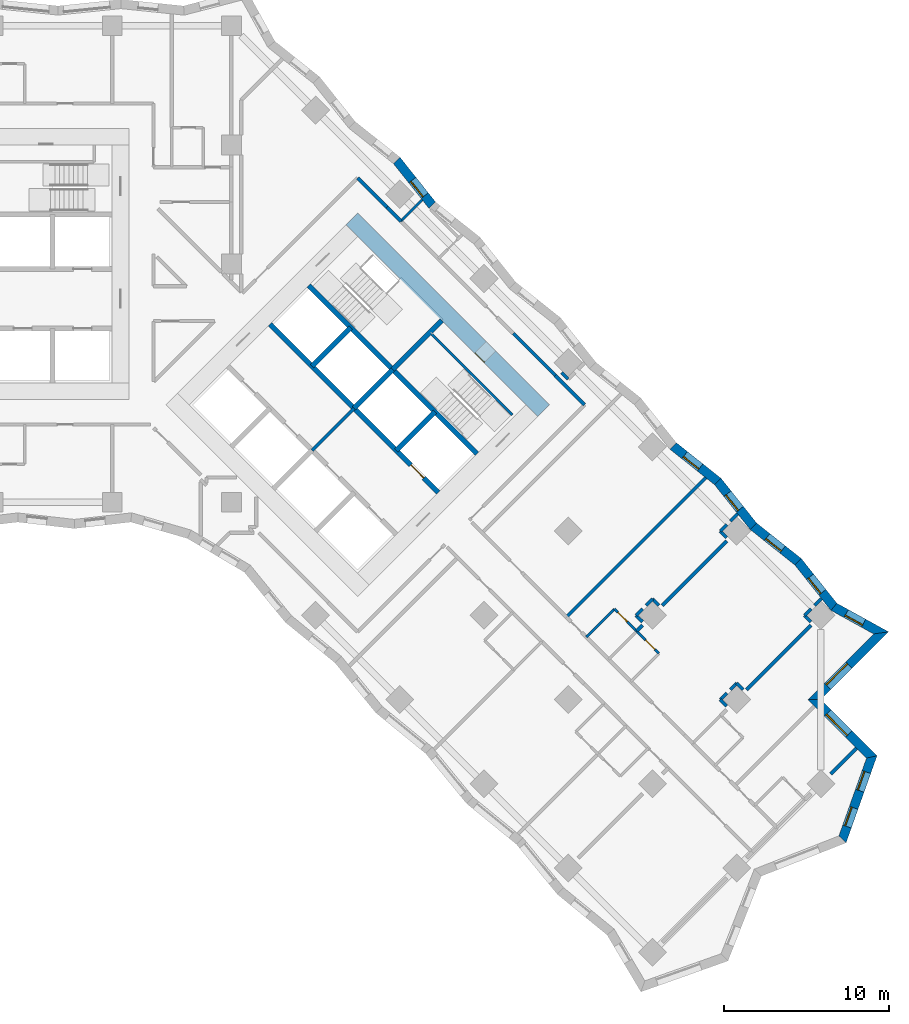
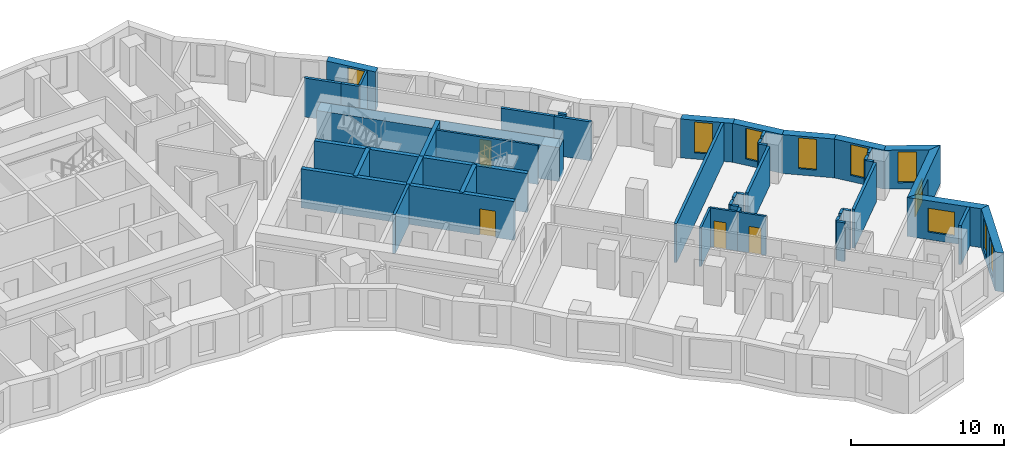
# One storey, part 9 of 12: 47 walls, 10 windows, 4 doors, 14 openings.
"""IFC4 building model written with IfcOpenShell, lengths in metres."""

from ifc_helpers import new_model, si_unit, direction, frame, frame_2d, origin, place, context, subcontext, project, spatial, polyline, rectangle, outline, extrude, material, layer, layer_set, type_object, element, fill, save


model = new_model("IFC4")

# Units and contexts
model_context = context("Model", 3, precision=1e-05, world=origin(), true_north=direction((0.0, 1.0)))
body_context = subcontext(model_context, "Body", "Model", "MODEL_VIEW")
ifc_project = project(units=[si_unit("LENGTHUNIT", "METRE"), si_unit("AREAUNIT", "SQUARE_METRE"), si_unit("VOLUMEUNIT", "CUBIC_METRE"), si_unit("PLANEANGLEUNIT", "RADIAN"), si_unit("MASSUNIT", "GRAM", prefix="KILO")], contexts=[model_context])

# Site, building, storey
site_placement = place(None, origin())
site = spatial("IfcSite", under=ifc_project, at=site_placement, CompositionType="ELEMENT")
building_placement = place(site_placement, origin())
building = spatial("IfcBuilding", under=site, at=building_placement, Name="Windrow Commons", CompositionType="ELEMENT")
storey_placement = place(building_placement, frame((0.0, 0.0, 37.2)))
storey = spatial("IfcBuildingStorey", under=building, at=storey_placement, Name="L09", CompositionType="ELEMENT", Elevation=37.2)

# Wall, openings, windows
ifc_material_1 = material(Name="Brick masonry, red clay brick", Category="masonry")
ifc_layer_1 = layer(ifc_material_1, 0.55)
ifc_layer_set_1 = layer_set([ifc_layer_1], Name="Brick facade wall 550")
wall_type_1 = type_object("IfcWallType", Name="Brick facade wall 550", PredefinedType="SOLIDWALL", material=ifc_layer_set_1)
wall_1_placement = place(storey_placement, frame((116.1429, 22.8203, 0.0), z_axis=(0.0, 0.0, 1.0), x_axis=(0.334975732, 0.9422267556, 0.0)))
wall_1 = element("IfcWall", 1, at=wall_1_placement, inside=storey, type_object=wall_type_1, Name="Brick facade wall L09 4", PredefinedType="SOLIDWALL", context=body_context, shape_type="SweptSolid", body=[
    extrude(outline(polyline([(-0.1253, -0.275), (5.464, -0.275), (5.1165, 0.275), (0.1253, 0.275), (-0.1253, -0.275)])), origin(), (0.0, 0.0, 1.0), 3.1),
])
opening_1_placement = place(wall_1_placement, frame((0.8254, 0.0, 0.5)))
opening_1 = element("IfcOpeningElement", 2, at=opening_1_placement, cuts=wall_1, Name="Opening W7D", PredefinedType="OPENING", context=body_context, shape_type="SweptSolid", body=[
    extrude(rectangle(XDim=1.2, YDim=2.45, at=frame_2d((0.6, 1.225))), frame((0.0, 0.285, 0.0), z_axis=(0.0, -1.0, 0.0), x_axis=(1.0, 0.0, 0.0)), (0.0, 0.0, 1.0), 0.57),
])
opening_2_placement = place(wall_1_placement, frame((3.1211, 0.0, 0.5)))
opening_2 = element("IfcOpeningElement", 3, at=opening_2_placement, cuts=wall_1, Name="Opening W7D", PredefinedType="OPENING", context=body_context, shape_type="SweptSolid", body=[
    extrude(rectangle(XDim=1.2, YDim=2.45, at=frame_2d((0.6, 1.225))), frame((0.0, 0.285, 0.0), z_axis=(0.0, -1.0, 0.0), x_axis=(1.0, 0.0, 0.0)), (0.0, 0.0, 1.0), 0.57),
])
ifc_material_2 = material(Name="Clear float glass in anodised aluminium frame", Category="aluminium")
window_type_1 = type_object("IfcWindowType", Name="Window W7 notch 1200x2450", PartitioningType="SINGLE_PANEL", PredefinedType="WINDOW", material=ifc_material_2)
window_1_placement = place(opening_1_placement, origin())
window_1 = element("IfcWindow", 4, at=window_1_placement, inside=storey, type_object=window_type_1, Name="Window L09 4.1", OverallHeight=2.45, OverallWidth=1.2, PartitioningType="SINGLE_PANEL", PredefinedType="WINDOW", context=body_context, shape_type="SweptSolid", body=[
    extrude(rectangle(XDim=1.2, YDim=2.45, at=frame_2d((0.6, 1.225))), frame((0.0, 0.155, 0.0), z_axis=(0.0, -1.0, 0.0), x_axis=(1.0, 0.0, 0.0)), (0.0, 0.0, 1.0), 0.06),
])
fill(opening_1, window_1)
window_2_placement = place(opening_2_placement, origin())
window_2 = element("IfcWindow", 5, at=window_2_placement, inside=storey, type_object=window_type_1, Name="Window L09 4.2", OverallHeight=2.45, OverallWidth=1.2, PartitioningType="SINGLE_PANEL", PredefinedType="WINDOW", context=body_context, shape_type="SweptSolid", body=[
    extrude(rectangle(XDim=1.2, YDim=2.45, at=frame_2d((0.6, 1.225))), frame((0.0, 0.155, 0.0), z_axis=(0.0, -1.0, 0.0), x_axis=(1.0, 0.0, 0.0)), (0.0, 0.0, 1.0), 0.06),
])
fill(opening_2, window_2)

# Wall, opening, window
wall_2_placement = place(storey_placement, frame((117.915, 27.8049, 0.0), z_axis=(0.0, 0.0, 1.0), x_axis=(-0.7071067812, 0.7071067812, 0.0)))
wall_2 = element("IfcWall", 6, at=wall_2_placement, inside=storey, type_object=wall_type_1, Name="Brick facade wall L09 5", PredefinedType="SOLIDWALL", context=body_context, shape_type="SweptSolid", body=[
    extrude(outline(polyline([(-0.1738, -0.275), (4.6262, -0.275), (5.1762, 0.275), (0.1738, 0.275), (-0.1738, -0.275)])), origin(), (0.0, 0.0, 1.0), 3.1),
])
opening_3_placement = place(wall_2_placement, frame((1.9638, 0.0, 0.6)))
opening_3 = element("IfcOpeningElement", 7, at=opening_3_placement, cuts=wall_2, Name="Opening W1L", PredefinedType="OPENING", context=body_context, shape_type="SweptSolid", body=[
    extrude(rectangle(XDim=1.8, YDim=1.9, at=frame_2d((0.9, 0.95))), frame((0.0, 0.285, 0.0), z_axis=(0.0, -1.0, 0.0), x_axis=(1.0, 0.0, 0.0)), (0.0, 0.0, 1.0), 0.57),
])
ifc_material_3 = material(Name="Clear float glass in anodised aluminium frame", Category="aluminium")
window_type_2 = type_object("IfcWindowType", Name="Window W1L bedroom 1800x1900", PartitioningType="SINGLE_PANEL", PredefinedType="WINDOW", material=ifc_material_3)
window_3_placement = place(opening_3_placement, origin())
window_3 = element("IfcWindow", 8, at=window_3_placement, inside=storey, type_object=window_type_2, Name="Window L09 5.1", OverallHeight=1.9, OverallWidth=1.8, PartitioningType="SINGLE_PANEL", PredefinedType="WINDOW", context=body_context, shape_type="SweptSolid", body=[
    extrude(rectangle(XDim=1.8, YDim=1.9, at=frame_2d((0.9, 0.95))), frame((0.0, 0.155, 0.0), z_axis=(0.0, -1.0, 0.0), x_axis=(1.0, 0.0, 0.0)), (0.0, 0.0, 1.0), 0.06),
])
fill(opening_3, window_3)

wall_3_placement = place(storey_placement, frame((114.4493, 31.2706, 0.0), z_axis=(0.0, 0.0, 1.0), x_axis=(0.7070892384, 0.7071243236, 0.0)))
wall_3 = element("IfcWall", 9, at=wall_3_placement, inside=storey, type_object=wall_type_1, Name="Brick facade wall L09 6", PredefinedType="SOLIDWALL", context=body_context, shape_type="SweptSolid", body=[
    extrude(outline(polyline([(0.275, -0.275), (6.066, -0.275), (5.3348, 0.275), (-0.275, 0.275), (0.275, -0.275)])), origin(), (0.0, 0.0, 1.0), 3.1),
])
opening_4_placement = place(wall_3_placement, frame((1.1375, 0.0, 0.6)))
opening_4 = element("IfcOpeningElement", 10, at=opening_4_placement, cuts=wall_3, Name="Opening W1L", PredefinedType="OPENING", context=body_context, shape_type="SweptSolid", body=[
    extrude(rectangle(XDim=1.8, YDim=1.9, at=frame_2d((0.9, 0.95))), frame((0.0, 0.285, 0.0), z_axis=(0.0, -1.0, 0.0), x_axis=(1.0, 0.0, 0.0)), (0.0, 0.0, 1.0), 0.57),
])
window_4_placement = place(opening_4_placement, origin())
window_4 = element("IfcWindow", 11, at=window_4_placement, inside=storey, type_object=window_type_2, Name="Window L09 6.1", OverallHeight=1.9, OverallWidth=1.8, PartitioningType="SINGLE_PANEL", PredefinedType="WINDOW", context=body_context, shape_type="SweptSolid", body=[
    extrude(rectangle(XDim=1.8, YDim=1.9, at=frame_2d((0.9, 0.95))), frame((0.0, 0.155, 0.0), z_axis=(0.0, -1.0, 0.0), x_axis=(1.0, 0.0, 0.0)), (0.0, 0.0, 1.0), 0.06),
])
fill(opening_4, window_4)

wall_4_placement = place(storey_placement, frame((118.48, 35.3015, 0.0), z_axis=(0.0, 0.0, 1.0), x_axis=(-0.8755307205, 0.4831624545, 0.0)))
wall_4 = element("IfcWall", 12, at=wall_4_placement, inside=storey, type_object=wall_type_1, Name="Brick facade wall L09 7", PredefinedType="SOLIDWALL", context=body_context, shape_type="SweptSolid", body=[
    extrude(outline(polyline([(-0.3656, -0.275), (3.2063, -0.275), (3.3162, 0.275), (0.3656, 0.275), (-0.3656, -0.275)])), origin(), (0.0, 0.0, 1.0), 3.1),
])
opening_5_placement = place(wall_4_placement, frame((1.2135, 0.0, 0.5)))
opening_5 = element("IfcOpeningElement", 13, at=opening_5_placement, cuts=wall_4, Name="Opening W7D", PredefinedType="OPENING", context=body_context, shape_type="SweptSolid", body=[
    extrude(rectangle(XDim=1.2, YDim=2.45, at=frame_2d((0.6, 1.225))), frame((0.0, 0.285, 0.0), z_axis=(0.0, -1.0, 0.0), x_axis=(1.0, 0.0, 0.0)), (0.0, 0.0, 1.0), 0.57),
])
window_5_placement = place(opening_5_placement, origin())
window_5 = element("IfcWindow", 14, at=window_5_placement, inside=storey, type_object=window_type_1, Name="Window L09 7.1", OverallHeight=2.45, OverallWidth=1.2, PartitioningType="SINGLE_PANEL", PredefinedType="WINDOW", context=body_context, shape_type="SweptSolid", body=[
    extrude(rectangle(XDim=1.2, YDim=2.45, at=frame_2d((0.6, 1.225))), frame((0.0, 0.155, 0.0), z_axis=(0.0, -1.0, 0.0), x_axis=(1.0, 0.0, 0.0)), (0.0, 0.0, 1.0), 0.06),
])
fill(opening_5, window_5)

wall_5_placement = place(storey_placement, frame((115.6247, 36.8772, 0.0), z_axis=(0.0, 0.0, 1.0), x_axis=(-0.6225043527, 0.782616337, 0.0)))
wall_5 = element("IfcWall", 15, at=wall_5_placement, inside=storey, type_object=wall_type_1, Name="Brick facade wall L09 8", PredefinedType="SOLIDWALL", context=body_context, shape_type="SweptSolid", body=[
    extrude(outline(polyline([(0.055, -0.275), (3.5089, -0.275), (3.4462, 0.275), (-0.055, 0.275), (0.055, -0.275)])), origin(), (0.0, 0.0, 1.0), 3.1),
])
opening_6_placement = place(wall_5_placement, frame((1.1231, 0.0, 0.5)))
opening_6 = element("IfcOpeningElement", 16, at=opening_6_placement, cuts=wall_5, Name="Opening W7D", PredefinedType="OPENING", context=body_context, shape_type="SweptSolid", body=[
    extrude(rectangle(XDim=1.2, YDim=2.45, at=frame_2d((0.6, 1.225))), frame((0.0, 0.285, 0.0), z_axis=(0.0, -1.0, 0.0), x_axis=(1.0, 0.0, 0.0)), (0.0, 0.0, 1.0), 0.57),
])
window_6_placement = place(opening_6_placement, origin())
window_6 = element("IfcWindow", 17, at=window_6_placement, inside=storey, type_object=window_type_1, Name="Window L09 8.1", OverallHeight=2.45, OverallWidth=1.2, PartitioningType="SINGLE_PANEL", PredefinedType="WINDOW", context=body_context, shape_type="SweptSolid", body=[
    extrude(rectangle(XDim=1.2, YDim=2.45, at=frame_2d((0.6, 1.225))), frame((0.0, 0.155, 0.0), z_axis=(0.0, -1.0, 0.0), x_axis=(1.0, 0.0, 0.0)), (0.0, 0.0, 1.0), 0.06),
])
fill(opening_6, window_6)

wall_6_placement = place(storey_placement, frame((113.4599, 39.5988, 0.0), z_axis=(0.0, 0.0, 1.0), x_axis=(-0.7826141976, 0.6225070424, 0.0)))
wall_6 = element("IfcWall", 18, at=wall_6_placement, inside=storey, type_object=wall_type_1, Name="Brick facade wall L09 9", PredefinedType="SOLIDWALL", context=body_context, shape_type="SweptSolid", body=[
    extrude(outline(polyline([(-0.0313, -0.275), (3.4226, -0.275), (3.4853, 0.275), (0.0313, 0.275), (-0.0313, -0.275)])), origin(), (0.0, 0.0, 1.0), 3.1),
])
opening_7_placement = place(wall_6_placement, frame((1.1963, 0.0, 0.5)))
opening_7 = element("IfcOpeningElement", 19, at=opening_7_placement, cuts=wall_6, Name="Opening W7D", PredefinedType="OPENING", context=body_context, shape_type="SweptSolid", body=[
    extrude(rectangle(XDim=1.2, YDim=2.45, at=frame_2d((0.6, 1.225))), frame((0.0, 0.285, 0.0), z_axis=(0.0, -1.0, 0.0), x_axis=(1.0, 0.0, 0.0)), (0.0, 0.0, 1.0), 0.57),
])
window_7_placement = place(opening_7_placement, origin())
window_7 = element("IfcWindow", 20, at=window_7_placement, inside=storey, type_object=window_type_1, Name="Window L09 9.1", OverallHeight=2.45, OverallWidth=1.2, PartitioningType="SINGLE_PANEL", PredefinedType="WINDOW", context=body_context, shape_type="SweptSolid", body=[
    extrude(rectangle(XDim=1.2, YDim=2.45, at=frame_2d((0.6, 1.225))), frame((0.0, 0.155, 0.0), z_axis=(0.0, -1.0, 0.0), x_axis=(1.0, 0.0, 0.0)), (0.0, 0.0, 1.0), 0.06),
])
fill(opening_7, window_7)

wall_7_placement = place(storey_placement, frame((110.7568, 41.7489, 0.0), z_axis=(0.0, 0.0, 1.0), x_axis=(-0.6225211477, 0.7826029777, 0.0)))
wall_7 = element("IfcWall", 21, at=wall_7_placement, inside=storey, type_object=wall_type_1, Name="Brick facade wall L09 10", PredefinedType="SOLIDWALL", context=body_context, shape_type="SweptSolid", body=[
    extrude(outline(polyline([(0.0313, -0.275), (3.4853, -0.275), (3.4226, 0.275), (-0.0313, 0.275), (0.0313, -0.275)])), origin(), (0.0, 0.0, 1.0), 3.1),
])
opening_8_placement = place(wall_7_placement, frame((1.3153, 0.0, 0.5)))
opening_8 = element("IfcOpeningElement", 22, at=opening_8_placement, cuts=wall_7, Name="Opening W7D", PredefinedType="OPENING", context=body_context, shape_type="SweptSolid", body=[
    extrude(rectangle(XDim=1.2, YDim=2.45, at=frame_2d((0.6, 1.225))), frame((0.0, 0.285, 0.0), z_axis=(0.0, -1.0, 0.0), x_axis=(1.0, 0.0, 0.0)), (0.0, 0.0, 1.0), 0.57),
])
window_8_placement = place(opening_8_placement, origin())
window_8 = element("IfcWindow", 23, at=window_8_placement, inside=storey, type_object=window_type_1, Name="Window L09 10.1", OverallHeight=2.45, OverallWidth=1.2, PartitioningType="SINGLE_PANEL", PredefinedType="WINDOW", context=body_context, shape_type="SweptSolid", body=[
    extrude(rectangle(XDim=1.2, YDim=2.45, at=frame_2d((0.6, 1.225))), frame((0.0, 0.155, 0.0), z_axis=(0.0, -1.0, 0.0), x_axis=(1.0, 0.0, 0.0)), (0.0, 0.0, 1.0), 0.06),
])
fill(opening_8, window_8)

wall_8_placement = place(storey_placement, frame((108.6067, 44.4519, 0.0), z_axis=(0.0, 0.0, 1.0), x_axis=(-0.7826141976, 0.6225070424, 0.0)))
wall_8 = element("IfcWall", 24, at=wall_8_placement, inside=storey, type_object=wall_type_1, Name="Brick facade wall L09 11", PredefinedType="SOLIDWALL", context=body_context, shape_type="SweptSolid", body=[
    extrude(outline(polyline([(-0.0313, -0.275), (3.4226, -0.275), (3.4853, 0.275), (0.0313, 0.275), (-0.0313, -0.275)])), origin(), (0.0, 0.0, 1.0), 3.1),
])
opening_9_placement = place(wall_8_placement, frame((1.3657, 0.0, 0.5)))
opening_9 = element("IfcOpeningElement", 25, at=opening_9_placement, cuts=wall_8, Name="Opening W7D", PredefinedType="OPENING", context=body_context, shape_type="SweptSolid", body=[
    extrude(rectangle(XDim=1.2, YDim=2.45, at=frame_2d((0.6, 1.225))), frame((0.0, 0.285, 0.0), z_axis=(0.0, -1.0, 0.0), x_axis=(1.0, 0.0, 0.0)), (0.0, 0.0, 1.0), 0.57),
])
window_9_placement = place(opening_9_placement, origin())
window_9 = element("IfcWindow", 26, at=window_9_placement, inside=storey, type_object=window_type_1, Name="Window L09 11.1", OverallHeight=2.45, OverallWidth=1.2, PartitioningType="SINGLE_PANEL", PredefinedType="WINDOW", context=body_context, shape_type="SweptSolid", body=[
    extrude(rectangle(XDim=1.2, YDim=2.45, at=frame_2d((0.6, 1.225))), frame((0.0, 0.155, 0.0), z_axis=(0.0, -1.0, 0.0), x_axis=(1.0, 0.0, 0.0)), (0.0, 0.0, 1.0), 0.06),
])
fill(opening_9, window_9)

wall_9_placement = place(storey_placement, frame((91.3441, 61.1616, 0.0), z_axis=(0.0, 0.0, 1.0), x_axis=(-0.6225070424, 0.7826141976, 0.0)))
wall_9 = element("IfcWall", 27, at=wall_9_placement, inside=storey, type_object=wall_type_1, Name="Brick facade wall L09 18", PredefinedType="SOLIDWALL", context=body_context, shape_type="SweptSolid", body=[
    extrude(outline(polyline([(0.0313, -0.275), (3.4853, -0.275), (3.4226, 0.275), (-0.0313, 0.275), (0.0313, -0.275)])), origin(), (0.0, 0.0, 1.0), 3.1),
])
opening_10_placement = place(wall_9_placement, frame((0.7315, 0.0, 0.5)))
opening_10 = element("IfcOpeningElement", 28, at=opening_10_placement, cuts=wall_9, Name="Opening W7D", PredefinedType="OPENING", context=body_context, shape_type="SweptSolid", body=[
    extrude(rectangle(XDim=1.2, YDim=2.45, at=frame_2d((0.6, 1.225))), frame((0.0, 0.285, 0.0), z_axis=(0.0, -1.0, 0.0), x_axis=(1.0, 0.0, 0.0)), (0.0, 0.0, 1.0), 0.57),
])
window_10_placement = place(opening_10_placement, origin())
window_10 = element("IfcWindow", 29, at=window_10_placement, inside=storey, type_object=window_type_1, Name="Window L09 18.1", OverallHeight=2.45, OverallWidth=1.2, PartitioningType="SINGLE_PANEL", PredefinedType="WINDOW", context=body_context, shape_type="SweptSolid", body=[
    extrude(rectangle(XDim=1.2, YDim=2.45, at=frame_2d((0.6, 1.225))), frame((0.0, 0.155, 0.0), z_axis=(0.0, -1.0, 0.0), x_axis=(1.0, 0.0, 0.0)), (0.0, 0.0, 1.0), 0.06),
])
fill(opening_10, window_10)

# Walls
ifc_material_4 = material(Name="Blockwork partition", Category="masonry")
ifc_layer_2 = layer(ifc_material_4, 0.2)
ifc_layer_set_2 = layer_set([ifc_layer_2], Name="Fire lobby partition 200")
wall_type_2 = type_object("IfcWallType", Name="Fire lobby partition 200", PredefinedType="PARTITIONING", material=ifc_layer_set_2)
wall_10_placement = place(storey_placement, frame((84.079, 46.332, 0.0), z_axis=(0.0, 0.0, 1.0), x_axis=(0.7071067812, 0.7071067812, 0.0)))
element("IfcWall", 30, at=wall_10_placement, inside=storey, type_object=wall_type_2, Name="W-core-lobby-B-L09", PredefinedType="PARTITIONING", context=body_context, shape_type="SweptSolid", body=[
    extrude(rectangle(XDim=3.6, YDim=0.2, at=frame_2d((1.8, 0.0))), origin(), (0.0, 0.0, 1.0), 3.1),
])
ifc_material_5 = material(Name="Blockwork partition", Category="masonry")
ifc_layer_3 = layer(ifc_material_5, 0.2)
ifc_layer_set_3 = layer_set([ifc_layer_3], Name="IW-CORRIDOR-200")
wall_type_3 = type_object("IfcWallType", Name="IW-CORRIDOR-200", PredefinedType="PARTITIONING", material=ifc_layer_set_3)
wall_11_placement = place(storey_placement, frame((96.2437, 53.4057, 0.0), z_axis=(0.0, 0.0, 1.0), x_axis=(0.7068288851, -0.7073845681, 0.0)))
element("IfcWall", 31, at=wall_11_placement, inside=storey, type_object=wall_type_3, Name="W-L09-W055", PredefinedType="PARTITIONING", context=body_context, shape_type="SweptSolid", body=[
    extrude(rectangle(XDim=3.5992, YDim=0.2, at=frame_2d((1.7996, 0.0))), origin(), (0.0, 0.0, 1.0), 3.1),
])
wall_12_placement = place(storey_placement, frame((98.783, 50.855, 0.0), z_axis=(0.0, 0.0, 1.0), x_axis=(0.7071067812, -0.7071067812, 0.0)))
element("IfcWall", 32, at=wall_12_placement, inside=storey, type_object=wall_type_3, Name="W-L09-W071", PredefinedType="PARTITIONING", context=body_context, shape_type="SweptSolid", body=[
    extrude(rectangle(XDim=2.5003, YDim=0.2, at=frame_2d((1.2502, 0.0))), origin(), (0.0, 0.0, 1.0), 3.1),
])
wall_13_placement = place(storey_placement, frame((86.835, 62.803, 0.0), z_axis=(0.0, 0.0, 1.0), x_axis=(0.7071067812, -0.7071067812, 0.0)))
element("IfcWall", 33, at=wall_13_placement, inside=storey, type_object=wall_type_3, Name="W-L09-W072", PredefinedType="PARTITIONING", context=body_context, shape_type="SweptSolid", body=[
    extrude(rectangle(XDim=2.4975, YDim=0.2, at=frame_2d((1.2488, 0.0))), origin(), (0.0, 0.0, 1.0), 3.1),
])
wall_14_placement = place(storey_placement, frame((88.6031, 61.0391, 0.0), z_axis=(0.0, 0.0, 1.0), x_axis=(0.7079391603, -0.7062734211, 0.0)))
element("IfcWall", 34, at=wall_14_placement, inside=storey, type_object=wall_type_3, Name="W-L09-W153", PredefinedType="PARTITIONING", context=body_context, shape_type="SweptSolid", body=[
    extrude(rectangle(XDim=1.2007, YDim=0.2, at=frame_2d((0.6004, 0.0))), origin(), (0.0, 0.0, 1.0), 3.1),
])
ifc_material_6 = material(Name="Blockwork partition", Category="masonry")
ifc_layer_4 = layer(ifc_material_6, 0.15)
ifc_layer_set_4 = layer_set([ifc_layer_4], Name="IW-ENSUITE-150")
wall_type_4 = type_object("IfcWallType", Name="IW-ENSUITE-150", PredefinedType="PARTITIONING", material=ifc_layer_set_4)
wall_15_placement = place(storey_placement, frame((100.6573, 35.0568, 0.0), z_axis=(0.0, 0.0, 1.0), x_axis=(0.7075233388, 0.706689978, 0.0)))
element("IfcWall", 35, at=wall_15_placement, inside=storey, type_object=wall_type_4, Name="W-L09-W104", PredefinedType="PARTITIONING", context=body_context, shape_type="SweptSolid", body=[
    extrude(rectangle(XDim=2.3999, YDim=0.15, at=frame_2d((1.2, 0.0))), origin(), (0.0, 0.0, 1.0), 3.1),
])

# Wall, opening, door
wall_16_placement = place(storey_placement, frame((103.7009, 35.4069, 0.0), z_axis=(0.0, 0.0, 1.0), x_axis=(0.7065800724, -0.7076330979, 0.0)))
wall_16 = element("IfcWall", 36, at=wall_16_placement, inside=storey, type_object=wall_type_4, Name="W-L09-W140", PredefinedType="PARTITIONING", context=body_context, shape_type="SweptSolid", body=[
    extrude(rectangle(XDim=1.8993, YDim=0.15, at=frame_2d((0.9496, 0.0))), origin(), (0.0, 0.0, 1.0), 3.1),
])
opening_11_placement = place(wall_16_placement, frame((0.7593, 0.0, 0.0)))
opening_11 = element("IfcOpeningElement", 37, at=opening_11_placement, cuts=wall_16, Name="Opening D208N", PredefinedType="OPENING", context=body_context, shape_type="SweptSolid", body=[
    extrude(rectangle(XDim=0.8, YDim=2.1, at=frame_2d((0.4, 1.05))), frame((0.0, 0.085, 0.0), z_axis=(0.0, -1.0, 0.0), x_axis=(1.0, 0.0, 0.0)), (0.0, 0.0, 1.0), 0.17),
])
ifc_material_7 = material(Name="Timber door leaf", Category="wood")
door_type_1 = type_object("IfcDoorType", Name="DT-ENSUITE-800", OperationType="SINGLE_SWING_LEFT", PredefinedType="DOOR", material=ifc_material_7)
door_1_placement = place(opening_11_placement, origin())
door_1 = element("IfcDoor", 38, at=door_1_placement, inside=storey, type_object=door_type_1, Name="D-L09-D044", OperationType="SINGLE_SWING_RIGHT", OverallHeight=2.1, OverallWidth=0.8, PredefinedType="DOOR", context=body_context, shape_type="SweptSolid", body=[
    extrude(rectangle(XDim=0.8, YDim=2.1, at=frame_2d((0.4, 1.05))), frame((0.0, 0.025, 0.0), z_axis=(0.0, -1.0, 0.0), x_axis=(1.0, 0.0, 0.0)), (0.0, 0.0, 1.0), 0.05),
])
fill(opening_11, door_1)

wall_17_placement = place(storey_placement, frame((102.3583, 36.7503, 0.0), z_axis=(0.0, 0.0, 1.0), x_axis=(0.7076330979, -0.7065800724, 0.0)))
wall_17 = element("IfcWall", 39, at=wall_17_placement, inside=storey, type_object=wall_type_4, Name="W-L09-W142", PredefinedType="PARTITIONING", context=body_context, shape_type="SweptSolid", body=[
    extrude(rectangle(XDim=1.8993, YDim=0.15, at=frame_2d((0.9496, 0.0))), origin(), (0.0, 0.0, 1.0), 3.1),
])
opening_12_placement = place(wall_17_placement, frame((0.2965, 0.0, 0.0)))
opening_12 = element("IfcOpeningElement", 40, at=opening_12_placement, cuts=wall_17, Name="Opening D208N", PredefinedType="OPENING", context=body_context, shape_type="SweptSolid", body=[
    extrude(rectangle(XDim=0.8, YDim=2.1, at=frame_2d((0.4, 1.05))), frame((0.0, 0.085, 0.0), z_axis=(0.0, -1.0, 0.0), x_axis=(1.0, 0.0, 0.0)), (0.0, 0.0, 1.0), 0.17),
])
door_2_placement = place(opening_12_placement, origin())
door_2 = element("IfcDoor", 41, at=door_2_placement, inside=storey, type_object=door_type_1, Name="D-L09-D042", OperationType="SINGLE_SWING_RIGHT", OverallHeight=2.1, OverallWidth=0.8, PredefinedType="DOOR", context=body_context, shape_type="SweptSolid", body=[
    extrude(rectangle(XDim=0.8, YDim=2.1, at=frame_2d((0.4, 1.05))), frame((0.0, 0.025, 0.0), z_axis=(0.0, -1.0, 0.0), x_axis=(1.0, 0.0, 0.0)), (0.0, 0.0, 1.0), 0.05),
])
fill(opening_12, door_2)

# Walls
wall_18_placement = place(storey_placement, frame((89.453, 60.193, 0.0), z_axis=(0.0, 0.0, 1.0), x_axis=(0.7071342593, 0.7070793021, 0.0)))
element("IfcWall", 42, at=wall_18_placement, inside=storey, type_object=wall_type_4, Name="W-L09-W145", PredefinedType="PARTITIONING", context=body_context, shape_type="SweptSolid", body=[
    extrude(rectangle(XDim=1.8196, YDim=0.15, at=frame_2d((0.9098, 0.0))), origin(), (0.0, 0.0, 1.0), 3.1),
])
ifc_material_8 = material(Name="Blockwork partition", Category="masonry")
ifc_layer_5 = layer(ifc_material_8, 0.2)
ifc_layer_set_5 = layer_set([ifc_layer_5], Name="IW-PARTY-200")
wall_type_5 = type_object("IfcWallType", Name="IW-PARTY-200", PredefinedType="PARTITIONING", material=ifc_layer_set_5)
wall_19_placement = place(storey_placement, frame((99.4589, 36.2551, 0.0), z_axis=(0.0, 0.0, 1.0), x_axis=(0.7071907307, 0.7070228217, 0.0)))
element("IfcWall", 43, at=wall_19_placement, inside=storey, type_object=wall_type_5, Name="W-L09-W005", PredefinedType="PARTITIONING", context=body_context, shape_type="SweptSolid", body=[
    extrude(rectangle(XDim=11.9112, YDim=0.2, at=frame_2d((5.9556, 0.0))), origin(), (0.0, 0.0, 1.0), 3.1),
])
for number, where, z_axis, x_axis, name in (
    (44, (110.3454, 31.8706, 0.0), (0.0, 0.0, 1.0), (0.7071067812, 0.7071067812, 0.0), "W-L09-W033"),
    (45, (105.2552, 36.9628, 0.0), (0.0, 0.0, 1.0), (0.7071067812, 0.7071067812, 0.0), "W-L09-W034"),
):
    element("IfcWall", number, at=place(storey_placement, frame(where, z_axis=z_axis, x_axis=x_axis)), inside=storey, type_object=wall_type_5, Name=name, PredefinedType="PARTITIONING", context=body_context, shape_type="SweptSolid", body=[
        extrude(rectangle(XDim=5.5041, YDim=0.2, at=frame_2d((2.7521, 0.0))), origin(), (0.0, 0.0, 1.0), 3.1),
    ])
wall_20_placement = place(storey_placement, frame((115.4375, 26.7805, 0.0), z_axis=(0.0, 0.0, 1.0), x_axis=(0.7071067812, 0.7071067812, 0.0)))
element("IfcWall", 46, at=wall_20_placement, inside=storey, type_object=wall_type_5, Name="W-L09-W113", PredefinedType="PARTITIONING", context=body_context, shape_type="SweptSolid", body=[
    extrude(rectangle(XDim=2.2012, YDim=0.2, at=frame_2d((1.1006, 0.0))), origin(), (0.0, 0.0, 1.0), 3.1),
])
wall_21_placement = place(storey_placement, frame((109.3572, 42.0548, 0.0), z_axis=(0.0, 0.0, 1.0), x_axis=(0.7071067812, 0.7071067812, 0.0)))
element("IfcWall", 47, at=wall_21_placement, inside=storey, type_object=wall_type_5, Name="W-L09-W166", PredefinedType="PARTITIONING", context=body_context, shape_type="SweptSolid", body=[
    extrude(rectangle(XDim=0.634, YDim=0.2, at=frame_2d((0.317, 0.0))), origin(), (0.0, 0.0, 1.0), 3.1),
])
for number, where, z_axis, x_axis, name in (
    (48, (113.8434, 36.3586, 0.0), (0.0, 0.0, 1.0), (0.7071067812, 0.7071067812, 0.0), "W-L09-W167"),
    (49, (108.7532, 41.4508, 0.0), (0.0, 0.0, 1.0), (0.7071067812, 0.7071067812, 0.0), "W-L09-W168"),
    (50, (108.7536, 31.2676, 0.0), (0.0, 0.0, 1.0), (0.7071067812, -0.7071067812, 0.0), "W-L09-W169"),
    (51, (109.7507, 32.2647, 0.0), (0.0, 0.0, 1.0), (0.7071067812, -0.7071067812, 0.0), "W-L09-W170"),
    (52, (109.3554, 31.8706, 0.0), (0.0, 0.0, 1.0), (0.7071067812, 0.7071067812, 0.0), "W-L09-W172"),
    (53, (99.1678, 51.0358, 0.0), (0.0, 0.0, 1.0), (0.7071067812, -0.7071067812, 0.0), "W-L09-W173"),
    (54, (108.7538, 41.4498, 0.0), (0.0, 0.0, 1.0), (0.7071067812, -0.7071067812, 0.0), "W-L09-W174"),
    (55, (108.7534, 31.2686, 0.0), (0.0, 0.0, 1.0), (0.7071067812, 0.7071067812, 0.0), "W-L09-W175"),
    (56, (103.6612, 36.3588, 0.0), (0.0, 0.0, 1.0), (0.7071067812, 0.7071067812, 0.0), "W-L09-W176"),
    (57, (104.2652, 36.9628, 0.0), (0.0, 0.0, 1.0), (0.7071067812, 0.7071067812, 0.0), "W-L09-W177"),
):
    element("IfcWall", number, at=place(storey_placement, frame(where, z_axis=z_axis, x_axis=x_axis)), inside=storey, type_object=wall_type_5, Name=name, PredefinedType="PARTITIONING", context=body_context, shape_type="SweptSolid", body=[
        extrude(rectangle(XDim=0.5572, YDim=0.2, at=frame_2d((0.2786, 0.0))), origin(), (0.0, 0.0, 1.0), 3.1),
    ])
for number, where, z_axis, x_axis, name in (
    (58, (104.6591, 37.3551, 0.0), (0.0, 0.0, 1.0), (0.705305244, -0.7089037401, 0.0), "W-L09-W178"),
    (59, (103.6636, 36.3596, 0.0), (0.0, 0.0, 1.0), (0.7089037401, -0.705305244, 0.0), "W-L09-W179"),
    (60, (113.8446, 36.3586, 0.0), (0.0, 0.0, 1.0), (0.7089037401, -0.705305244, 0.0), "W-L09-W180"),
):
    element("IfcWall", number, at=place(storey_placement, frame(where, z_axis=z_axis, x_axis=x_axis)), inside=storey, type_object=wall_type_5, Name=name, PredefinedType="PARTITIONING", context=body_context, shape_type="SweptSolid", body=[
        extrude(rectangle(XDim=0.5558, YDim=0.2, at=frame_2d((0.2779, 0.0))), origin(), (0.0, 0.0, 1.0), 3.1),
    ])
wall_22_placement = place(storey_placement, frame((114.4474, 36.9626, 0.0), z_axis=(0.0, 0.0, 1.0), x_axis=(0.7071067812, 0.7071067812, 0.0)))
element("IfcWall", 61, at=wall_22_placement, inside=storey, type_object=wall_type_5, Name="W-L09-W181", PredefinedType="PARTITIONING", context=body_context, shape_type="SweptSolid", body=[
    extrude(rectangle(XDim=0.5971, YDim=0.2, at=frame_2d((0.2985, 0.0))), origin(), (0.0, 0.0, 1.0), 3.1),
])
wall_23_placement = place(storey_placement, frame((103.7012, 35.4088, 0.0), z_axis=(0.0, 0.0, 1.0), x_axis=(0.7071067812, 0.7071067812, 0.0)))
element("IfcWall", 62, at=wall_23_placement, inside=storey, type_object=wall_type_5, Name="W-L09-W186", PredefinedType="PARTITIONING", context=body_context, shape_type="SweptSolid", body=[
    extrude(rectangle(XDim=0.5006, YDim=0.2, at=frame_2d((0.2503, 0.0))), origin(), (0.0, 0.0, 1.0), 3.1),
])

# Wall, opening, door
ifc_material_9 = material(Name="Concrete C60/75", Category="concrete")
ifc_layer_6 = layer(ifc_material_9, 1.0)
ifc_layer_set_6 = layer_set([ifc_layer_6], Name="RC CORE WALL 1000 C60/75")
wall_type_6 = type_object("IfcWallType", Name="RC CORE WALL 1000 C60/75", PredefinedType="SHEAR", material=ifc_layer_set_6)
wall_24_placement = place(storey_placement, frame((86.4832, 60.3327, -0.3), z_axis=(0.0, 0.0, 1.0), x_axis=(0.70710983, -0.7071037324, 0.0)))
wall_24 = element("IfcWall", 63, at=wall_24_placement, inside=storey, type_object=wall_type_6, Name="Core B wall outer-N", PredefinedType="SHEAR", context=body_context, shape_type="SweptSolid", body=[
    extrude(rectangle(XDim=16.4, YDim=1.0, at=frame_2d((8.2, 0.0))), origin(), (0.0, 0.0, 1.0), 2.7),
])
opening_13_placement = place(wall_24_placement, frame((11.0, 0.0, 0.3)))
opening_13 = element("IfcOpeningElement", 64, at=opening_13_placement, cuts=wall_24, Name="Opening D9", PredefinedType="OPENING", context=body_context, shape_type="SweptSolid", body=[
    extrude(rectangle(XDim=0.8, YDim=2.1, at=frame_2d((0.4, 1.05))), frame((0.0, 0.51, 0.0), z_axis=(0.0, -1.0, 0.0), x_axis=(1.0, 0.0, 0.0)), (0.0, 0.0, 1.0), 1.02),
])
ifc_material_10 = material(Name="Steel fire door leaf", Category="steel")
door_type_2 = type_object("IfcDoorType", Name="Riser access door 800", OperationType="SINGLE_SWING_LEFT", PredefinedType="DOOR", material=ifc_material_10)
door_3_placement = place(opening_13_placement, origin())
door_3 = element("IfcDoor", 65, at=door_3_placement, inside=storey, type_object=door_type_2, Name="Riser access door", OperationType="SINGLE_SWING_RIGHT", OverallHeight=2.1, OverallWidth=0.8, PredefinedType="DOOR", context=body_context, shape_type="SweptSolid", body=[
    extrude(rectangle(XDim=0.8, YDim=2.1, at=frame_2d((0.4, 1.05))), frame((0.0, -0.44, 0.0), z_axis=(0.0, -1.0, 0.0), x_axis=(1.0, 0.0, 0.0)), (0.0, 0.0, 1.0), 0.05),
])
fill(opening_13, door_3)

# Walls
ifc_material_11 = material(Name="Concrete C60/75", Category="concrete")
ifc_layer_7 = layer(ifc_material_11, 0.3)
ifc_layer_set_7 = layer_set([ifc_layer_7], Name="RC SHAFT WALL 300 C60/75")
wall_type_7 = type_object("IfcWallType", Name="RC SHAFT WALL 300 C60/75", PredefinedType="SOLIDWALL", material=ifc_layer_set_7)
wall_25_placement = place(storey_placement, frame((84.079, 51.4232, 0.0), z_axis=(0.0, 0.0, 1.0), x_axis=(0.7071219326, 0.7070916295, 0.0)))
element("IfcWall", 66, at=wall_25_placement, inside=storey, type_object=wall_type_7, Name="Core B wall shaft-N1", PredefinedType="SOLIDWALL", context=body_context, shape_type="SweptSolid", body=[
    extrude(rectangle(XDim=3.3, YDim=0.3, at=frame_2d((1.65, 0.0))), origin(), (0.0, 0.0, 1.0), 3.1),
])
for number, where, z_axis, x_axis, name in (
    (67, (86.6246, 48.8776, 0.0), (0.0, 0.0, 1.0), (0.7071067812, 0.7071067812, 0.0), "Core B wall shaft-N2"),
    (68, (89.1702, 46.332, 0.0), (0.0, 0.0, 1.0), (0.7071067812, 0.7071067812, 0.0), "Core B wall shaft-N3"),
):
    element("IfcWall", number, at=place(storey_placement, frame(where, z_axis=z_axis, x_axis=x_axis)), inside=storey, type_object=wall_type_7, Name=name, PredefinedType="SOLIDWALL", context=body_context, shape_type="SweptSolid", body=[
        extrude(rectangle(XDim=3.3001, YDim=0.3, at=frame_2d((1.6501, 0.0))), origin(), (0.0, 0.0, 1.0), 3.1),
    ])

# Wall, opening, door
wall_26_placement = place(storey_placement, frame((81.5335, 53.9688, 0.0), z_axis=(0.0, 0.0, 1.0), x_axis=(0.707103309, -0.7071102534, 0.0)))
wall_26 = element("IfcWall", 69, at=wall_26_placement, inside=storey, type_object=wall_type_7, Name="Core B wall lobby-N", PredefinedType="SOLIDWALL", context=body_context, shape_type="SweptSolid", body=[
    extrude(rectangle(XDim=14.4, YDim=0.3, at=frame_2d((7.2, 0.0))), origin(), (0.0, 0.0, 1.0), 3.1),
])
opening_14_placement = place(wall_26_placement, frame((12.05, 0.0, 0.0)))
opening_14 = element("IfcOpeningElement", 70, at=opening_14_placement, cuts=wall_26, Name="Opening LD", PredefinedType="OPENING", context=body_context, shape_type="SweptSolid", body=[
    extrude(rectangle(XDim=1.1, YDim=2.1, at=frame_2d((0.55, 1.05))), frame((0.0, 0.16, 0.0), z_axis=(0.0, -1.0, 0.0), x_axis=(1.0, 0.0, 0.0)), (0.0, 0.0, 1.0), 0.32),
])
ifc_material_12 = material(Name="Stainless steel door leaf", Category="steel")
door_type_3 = type_object("IfcDoorType", Name="Lift landing door 1100", OperationType="SLIDING_TO_LEFT", PredefinedType="DOOR", material=ifc_material_12)
door_4_placement = place(opening_14_placement, origin())
door_4 = element("IfcDoor", 71, at=door_4_placement, inside=storey, type_object=door_type_3, Name="Lift landing door", OperationType="SLIDING_TO_RIGHT", OverallHeight=2.1, OverallWidth=1.1, PredefinedType="DOOR", context=body_context, shape_type="SweptSolid", body=[
    extrude(rectangle(XDim=1.1, YDim=2.1, at=frame_2d((0.55, 1.05))), frame((0.0, 0.025, 0.0), z_axis=(0.0, -1.0, 0.0), x_axis=(1.0, 0.0, 0.0)), (0.0, 0.0, 1.0), 0.05),
])
fill(opening_14, door_4)

# Walls
for number, where, z_axis, x_axis, name in (
    (72, (83.8669, 56.3022, 0.0), (0.0, 0.0, 1.0), (0.7071137256, -0.7070998367, 0.0), "Core B wall stair-S"),
    (73, (88.9581, 51.2111, 0.0), (0.0, 0.0, 1.0), (0.7070998367, -0.7071137256, 0.0), "Core B wall stair-S2"),
):
    element("IfcWall", number, at=place(storey_placement, frame(where, z_axis=z_axis, x_axis=x_axis)), inside=storey, type_object=wall_type_7, Name=name, PredefinedType="SOLIDWALL", context=body_context, shape_type="SweptSolid", body=[
        extrude(rectangle(XDim=7.2, YDim=0.3, at=frame_2d((3.6, 0.0))), origin(), (0.0, 0.0, 1.0), 3.1),
    ])
wall_27_placement = place(storey_placement, frame((88.9581, 51.2111, 0.0), z_axis=(0.0, 0.0, 1.0), x_axis=(0.7071067812, 0.7071067812, 0.0)))
element("IfcWall", 74, at=wall_27_placement, inside=storey, type_object=wall_type_7, Name="Core B wall stair-mid", PredefinedType="SOLIDWALL", context=body_context, shape_type="SweptSolid", body=[
    extrude(rectangle(XDim=4.1999, YDim=0.3, at=frame_2d((2.1, 0.0))), origin(), (0.0, 0.0, 1.0), 3.1),
])
ifc_material_13 = material(Name="Blockwork partition", Category="masonry")
ifc_layer_8 = layer(ifc_material_13, 0.15)
ifc_layer_set_8 = layer_set([ifc_layer_8], Name="Riser partition 150")
wall_type_8 = type_object("IfcWallType", Name="Riser partition 150", PredefinedType="PARTITIONING", material=ifc_layer_set_8)
wall_28_placement = place(storey_placement, frame((91.3127, 53.3536, 0.0), z_axis=(0.0, 0.0, 1.0), x_axis=(0.7071140275, -0.7070995348, 0.0)))
element("IfcWall", 75, at=wall_28_placement, inside=storey, type_object=wall_type_8, Name="W-core-strip-B-L09", PredefinedType="PARTITIONING", context=body_context, shape_type="SweptSolid", body=[
    extrude(rectangle(XDim=6.9, YDim=0.15, at=frame_2d((3.45, 0.0))), origin(), (0.0, 0.0, 1.0), 3.1),
])

save(model, "model.ifc")
